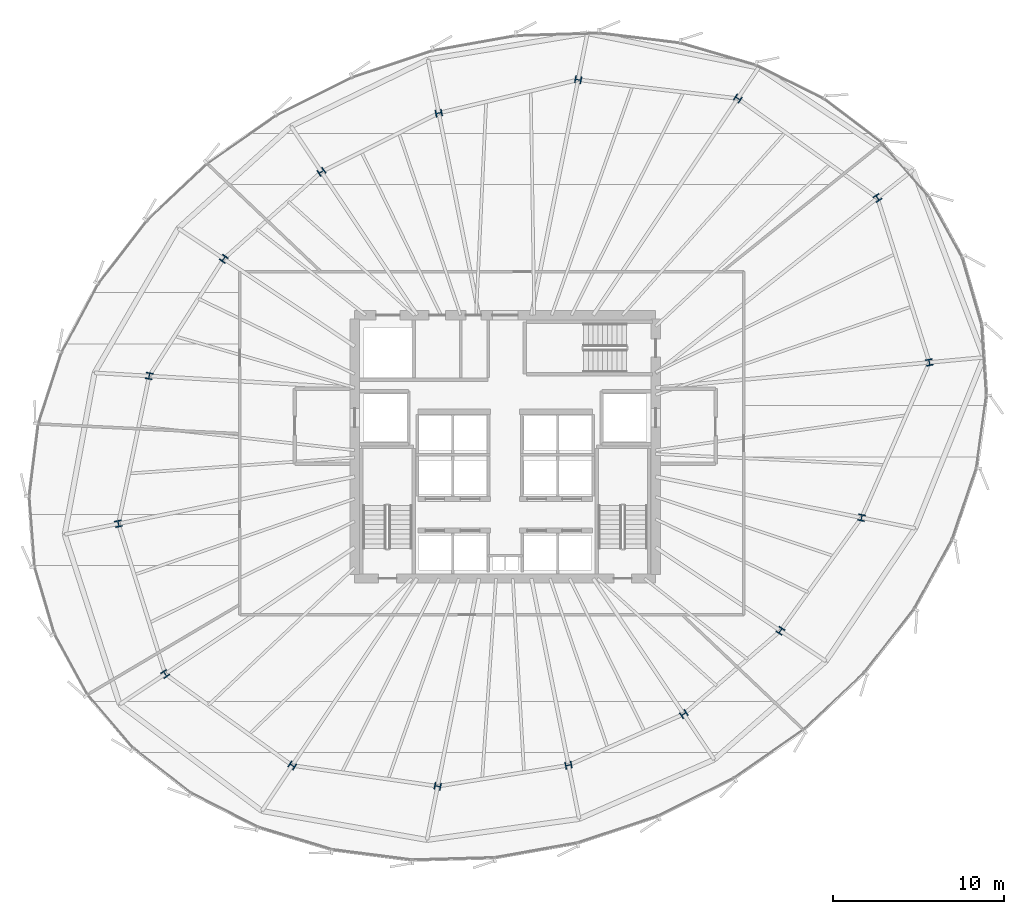
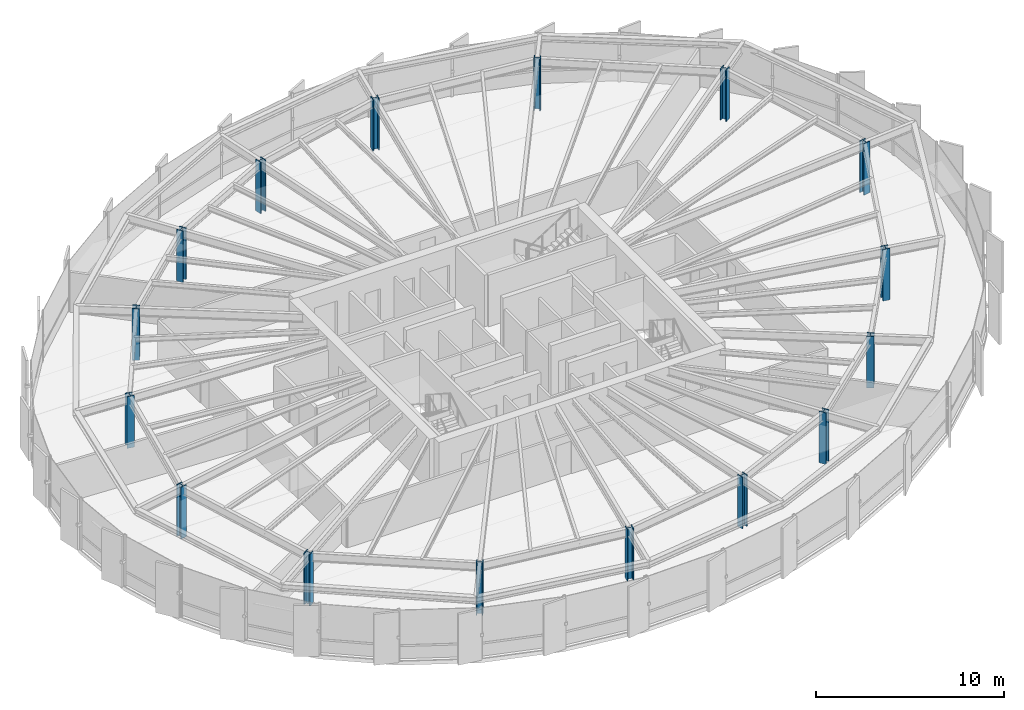
# One storey, part 1 of 34: 16 columns.
"""IFC4 building model written with IfcOpenShell, lengths in metres."""

from ifc_helpers import new_model, si_unit, direction, frame, origin, origin_2d, place, context, subcontext, project, spatial, i_section, extrude, source, transform, mapped, material, material_profile, profile_set, type_object, element, save


model = new_model("IFC4")

# Units and contexts
model_context = context("Model", 3, precision=1e-05, world=origin(), true_north=direction((0.0, 1.0)))
body_context = subcontext(model_context, "Body", "Model", "MODEL_VIEW")
ifc_project = project(units=[si_unit("LENGTHUNIT", "METRE"), si_unit("AREAUNIT", "SQUARE_METRE"), si_unit("VOLUMEUNIT", "CUBIC_METRE"), si_unit("PLANEANGLEUNIT", "RADIAN"), si_unit("MASSUNIT", "GRAM", prefix="KILO"), si_unit("THERMODYNAMICTEMPERATUREUNIT", "KELVIN")], contexts=[model_context])

# Site, building, storey
site_placement = place(None, origin())
site = spatial("IfcSite", under=ifc_project, at=site_placement, CompositionType="ELEMENT")
building_placement = place(site_placement, origin())
building = spatial("IfcBuilding", under=site, at=building_placement, Name="Kethvar Cultural Tower", CompositionType="ELEMENT")
storey_placement = place(building_placement, frame((0.0, 0.0, 125.199951171875)))
storey = spatial("IfcBuildingStorey", under=building, at=storey_placement, Name="L31", CompositionType="ELEMENT", Elevation=125.199951171875)

# Columns
ifc_material = material(Name="Steel S460M", Category="steel")
ifc_material_profile = material_profile(ifc_material, i_section(OverallWidth=0.40087890625, OverallDepth=0.381103515625, WebThickness=0.031982421875, FlangeThickness=0.051025390625, FilletRadius=0.014892578125, at=origin_2d()), Name="Steel S460M — HD400x677")
ifc_profile_set = profile_set([ifc_material_profile], Name="Steel S460M — HD400x677")
column_type = type_object("IfcColumnType", Name="COL-HD677", PredefinedType="COLUMN", material=ifc_profile_set)
shared_shape = source(origin(), body_context, "Body", "SweptSolid", [
    extrude(i_section(OverallWidth=0.40087890625, OverallDepth=0.381103515625, WebThickness=0.031982421875, FlangeThickness=0.051025390625, FilletRadius=0.014892578125, at=origin_2d()), origin(), (0.0, 0.0, 1.0), 3.35009765625),
])
for number, where, z_axis, x_axis, name in (
    (1, (71.6025390625, 32.7333984375, 0.0), (0.0, 0.0, 1.0), (0.980785280403, 0.195090322016, 0.0), "L31 Mega-Column MC-01"),
    (2, (68.568603515625, 42.34521484375, 0.0), (0.0, 0.0, 1.0), (0.831469612303, 0.55557023302, 0.0), "L31 Mega-Column MC-02"),
    (3, (60.40478515625, 48.160888671875, 0.0), (0.0, 0.0, 1.0), (0.55557023302, 0.831469612303, 0.0), "L31 Mega-Column MC-03"),
    (4, (51.068603515625, 49.25927734375, 0.0), (0.0, 0.0, 1.0), (0.195090322016, 0.980785280403, 0.0), "L31 Mega-Column MC-04"),
    (5, (42.9189453125, 47.311279296875, 0.0), (0.0, 0.0, 1.0), (-0.195090322016, 0.980785280403, 0.0), "L31 Mega-Column MC-05"),
    (6, (36.0576171875, 43.877197265625, 0.0), (0.0, 0.0, 1.0), (-0.55557023302, 0.831469612303, 0.0), "L31 Mega-Column MC-06"),
    (7, (30.345947265625, 38.794189453125, 0.0), (0.0, 0.0, 1.0), (-0.831469612303, 0.55557023302, 0.0), "L31 Mega-Column MC-07"),
    (8, (25.988525390625, 31.939697265625, 0.0), (0.0, 0.0, 1.0), (-0.980785280403, 0.195090322016, 0.0), "L31 Mega-Column MC-08"),
    (9, (24.185302734375, 23.3017578125, 0.0), (0.0, 0.0, 1.0), (-0.980785280403, -0.195090322016, 0.0), "L31 Mega-Column MC-09"),
    (10, (26.920654296875, 14.51708984375, 0.0), (0.0, 0.0, 1.0), (-0.831469612303, -0.55557023302, 0.0), "L31 Mega-Column MC-10"),
    (11, (34.350830078125, 9.16845703125, 0.0), (0.0, 0.0, 1.0), (-0.55557023302, -0.831469612303, 0.0), "L31 Mega-Column MC-11"),
    (12, (42.852294921875, 7.95361328125, 0.0), (0.0, 0.0, 1.0), (-0.195090322016, -0.980785280403, 0.0), "L31 Mega-Column MC-12"),
    (13, (50.50341796875, 9.182373046875, 0.0), (0.0, 0.0, 1.0), (0.195090322016, -0.980785280403, 0.0), "L31 Mega-Column MC-13"),
    (14, (57.241943359375, 12.17236328125, 0.0), (0.0, 0.0, 1.0), (0.55557023302, -0.831469612303, 0.0), "L31 Mega-Column MC-14"),
    (15, (62.898681640625, 17.043212890625, 0.0), (0.0, 0.0, 1.0), (0.831469612303, -0.55557023302, 0.0), "L31 Mega-Column MC-15"),
    (16, (67.638671875, 23.65478515625, 0.0), (0.0, 0.0, 1.0), (0.980785280403, -0.195090322016, 0.0), "L31 Mega-Column MC-16"),
):
    element("IfcColumn", number, at=place(storey_placement, frame(where, z_axis=z_axis, x_axis=x_axis)), inside=storey, type_object=column_type, Name=name, PredefinedType="COLUMN", context=body_context, shape_type="MappedRepresentation", body=[
        mapped(shared_shape, transform((0.0, 0.0, 0.0), scale=1.0)),
    ])

save(model, "model.ifc")
